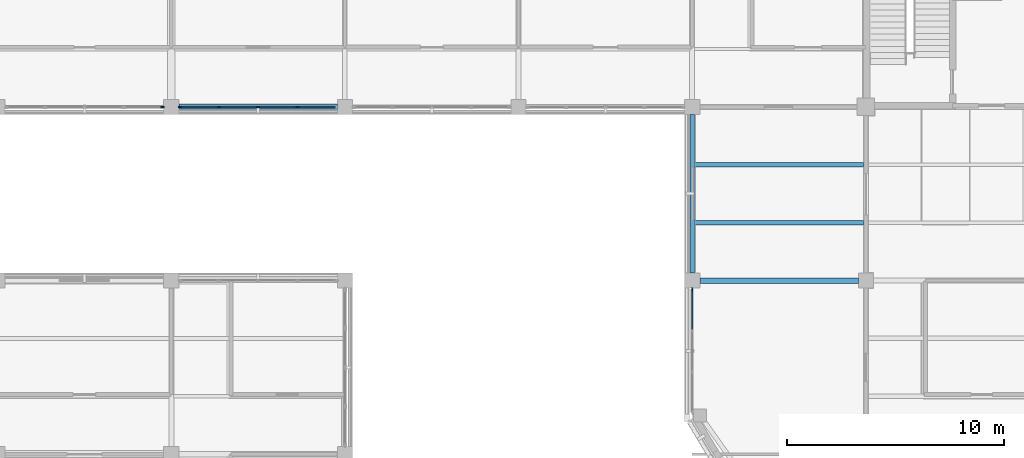
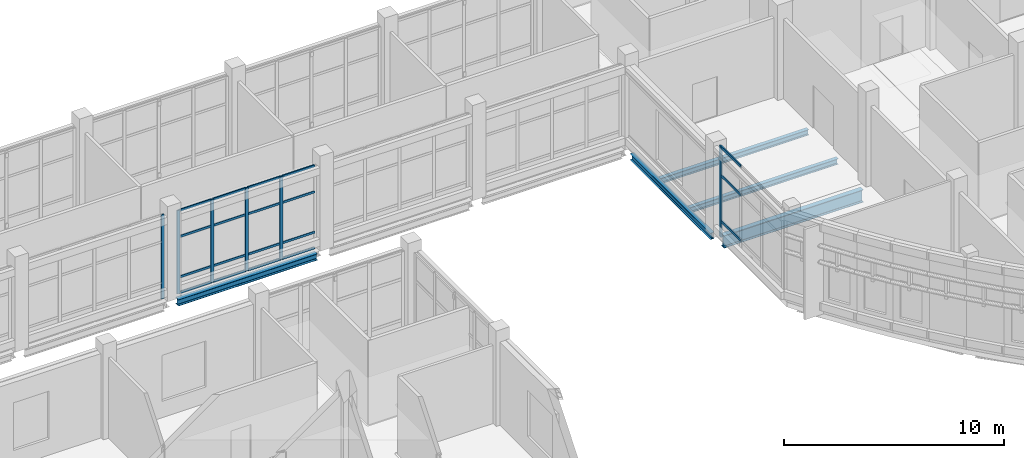
# One storey, part 14 of 105: 25 members, 5 beams, 3 elements without a shape of their own.
"""IFC4 building model written with IfcOpenShell, lengths in metres."""

from ifc_helpers import new_model, si_unit, derived_unit, direction, frame, origin, origin_2d, place, context, subcontext, project, spatial, rectangle, i_section, extrude, material, layer, layer_set, material_profile, profile_set, type_object, element, aggregate, save


model = new_model("IFC4")

# Units and contexts
model_context = context("Model", 3, precision=1e-05, world=origin(), true_north=direction((0.0, 1.0)))
body_context = subcontext(model_context, "Body", "Model", "MODEL_VIEW")
ifc_project = project(units=[si_unit("LENGTHUNIT", "METRE"), si_unit("AREAUNIT", "SQUARE_METRE"), si_unit("VOLUMEUNIT", "CUBIC_METRE"), si_unit("PLANEANGLEUNIT", "RADIAN"), si_unit("MASSUNIT", "GRAM", prefix="KILO"), derived_unit("THERMALTRANSMITTANCEUNIT", [(si_unit("MASSUNIT", "GRAM", prefix="KILO"), 1), (si_unit("TIMEUNIT", "SECOND"), -3), (si_unit("THERMODYNAMICTEMPERATUREUNIT", "KELVIN"), -1)])], contexts=[model_context])

# Site, building, storey
site_placement = place(None, origin())
site = spatial("IfcSite", under=ifc_project, at=site_placement, CompositionType="ELEMENT")
building_placement = place(site_placement, origin())
building = spatial("IfcBuilding", under=site, at=building_placement, Name="Veyamyaing Civic Hall", CompositionType="ELEMENT")
storey_placement = place(building_placement, origin())
storey = spatial("IfcBuildingStorey", under=building, at=storey_placement, Name="L00", CompositionType="ELEMENT", Elevation=0.0)

# Beams
ifc_material_1 = material(Name="Steel ASTM A992", Category="steel")
ifc_material_profile_1 = material_profile(ifc_material_1, i_section(OverallWidth=0.256103515625, OverallDepth=0.693115234375, WebThickness=0.014404296875, FlangeThickness=0.023681640625, FilletRadius=0.013916015625, at=origin_2d()), Name="W690X170")
ifc_profile_set_1 = profile_set([ifc_material_profile_1], Name="Steel ASTM A992")
beam_type_1 = type_object("IfcBeamType", Name="B-04", PredefinedType="BEAM", material=ifc_profile_set_1)
beam_1_placement = place(storey_placement, frame((56.35009765625, 40.0, -0.611572265625), z_axis=(1.0, 0.0, 0.0), x_axis=(0.0, 1.0, 0.0)))
element("IfcBeam", 1, at=beam_1_placement, inside=storey, type_object=beam_type_1, Name="Girder B-04 L00 Grid F 8-9", PredefinedType="BEAM", context=body_context, shape_type="SweptSolid", body=[
    extrude(i_section(OverallWidth=0.256103515625, OverallDepth=0.693115234375, WebThickness=0.014404296875, FlangeThickness=0.023681640625, FilletRadius=0.013916015625, at=origin_2d()), origin(), (0.0, 0.0, 1.0), 7.2998046875),
])
ifc_material_profile_2 = material_profile(ifc_material_1, i_section(OverallWidth=0.2041015625, OverallDepth=0.35009765625, WebThickness=0.0078125, FlangeThickness=0.01513671875, FilletRadius=0.010009765625, at=origin_2d()), Name="W360X72")
ifc_profile_set_2 = profile_set([ifc_material_profile_2], Name="Steel ASTM A992")
beam_type_2 = type_object("IfcBeamType", Name="B-11", PredefinedType="SPANDREL", material=ifc_profile_set_2)
beam_2_placement = place(storey_placement, frame((56.0, 40.35009765625, -0.43994140625), z_axis=(0.0, 1.0, 0.0), x_axis=(-1.0, 0.0, 0.0)))
element("IfcBeam", 2, at=beam_2_placement, inside=storey, type_object=beam_type_2, Name="Girder B-11 L00 Grid 8 F-G", PredefinedType="SPANDREL", context=body_context, shape_type="SweptSolid", body=[
    extrude(i_section(OverallWidth=0.2041015625, OverallDepth=0.35009765625, WebThickness=0.0078125, FlangeThickness=0.01513671875, FilletRadius=0.010009765625, at=origin_2d()), origin(), (0.0, 0.0, 1.0), 7.2998046875),
])
ifc_material_profile_3 = material_profile(ifc_material_1, i_section(OverallWidth=0.25390625, OverallDepth=0.35302734375, WebThickness=0.009521484375, FlangeThickness=0.016357421875, FilletRadius=0.011962890625, at=origin_2d()), Name="W360X91")
ifc_profile_set_3 = profile_set([ifc_material_profile_3], Name="Steel ASTM A992")
beam_type_3 = type_object("IfcBeamType", Name="B-20", PredefinedType="SPANDREL", material=ifc_profile_set_3)
beam_3_placement = place(storey_placement, frame((32.35009765625, 48.0, -0.44140625), z_axis=(1.0, 0.0, 0.0), x_axis=(0.0, 1.0, 0.0)))
element("IfcBeam", 3, at=beam_3_placement, inside=storey, type_object=beam_type_3, Name="Girder B-20 L00 Grid G 5-6", PredefinedType="SPANDREL", context=body_context, shape_type="SweptSolid", body=[
    extrude(i_section(OverallWidth=0.25390625, OverallDepth=0.35302734375, WebThickness=0.009521484375, FlangeThickness=0.016357421875, FilletRadius=0.011962890625, at=origin_2d()), origin(), (0.0, 0.0, 1.0), 7.2998046875),
])

# Curtain wall, member
ifc_material_2 = material(Name="Anodised aluminium 6063-T6", Category="aluminium")
ifc_layer_1 = layer(ifc_material_2, 0.159912109375, Name="Anodised aluminium 6063-T6")
ifc_layer_set_1 = layer_set([ifc_layer_1], Name="Anodised aluminium 6063-T6")
curtain_wall_type_1 = type_object("IfcCurtainWallType", Name="CW-01", PredefinedType="NOTDEFINED", material=ifc_layer_set_1)
curtain_wall_1_placement = place(storey_placement, origin())
curtain_wall_1 = element("IfcCurtainWall", 4, at=curtain_wall_1_placement, inside=storey, type_object=curtain_wall_type_1, Name="Unitized curtain wall CW-01 L00 S 4.7", PredefinedType="NOTDEFINED")
ifc_material_profile_4 = material_profile(ifc_material_2, rectangle(XDim=0.06494140625, YDim=0.159912109375, at=origin_2d()), Name="ALU-MUL-65X160")
ifc_profile_set_4 = profile_set([ifc_material_profile_4], Name="Anodised aluminium 6063-T6")
member_type_1 = type_object("IfcMemberType", Name="CWM-01", PredefinedType="MULLION", material=ifc_profile_set_4)
member_1_placement = place(storey_placement, frame((31.58740234375, 48.0, 0.0), z_axis=(0.0, 0.0, 1.0), x_axis=(0.0, 1.0, 0.0)))
member_1 = element("IfcMember", 5, at=member_1_placement, type_object=member_type_1, Name="CW-01 mullion 5", PredefinedType="MULLION", context=body_context, shape_type="SweptSolid", body=[
    extrude(rectangle(XDim=0.06494140625, YDim=0.159912109375, at=origin_2d()), origin(), (0.0, 0.0, 1.0), 4.674072265625),
])
aggregate(curtain_wall_1, [member_1])

# Curtain wall, members
curtain_wall_2_placement = place(storey_placement, origin())
curtain_wall_2 = element("IfcCurtainWall", 6, at=curtain_wall_2_placement, inside=storey, type_object=curtain_wall_type_1, Name="Unitized curtain wall CW-01 L00 S 5.7", PredefinedType="NOTDEFINED")
member_2_placement = place(storey_placement, frame((32.41259765625, 48.0, 0.0), z_axis=(0.0, 0.0, 1.0), x_axis=(0.0, 1.0, 0.0)))
member_2 = element("IfcMember", 7, at=member_2_placement, type_object=member_type_1, Name="CW-01 mullion 1", PredefinedType="MULLION", context=body_context, shape_type="SweptSolid", body=[
    extrude(rectangle(XDim=0.06494140625, YDim=0.159912109375, at=origin_2d()), origin(), (0.0, 0.0, 1.0), 4.614013671875),
])
member_3_placement = place(storey_placement, frame((34.18994140625, 48.0, 0.0), z_axis=(0.0, 0.0, 1.0), x_axis=(0.0, 1.0, 0.0)))
member_3 = element("IfcMember", 8, at=member_3_placement, type_object=member_type_1, Name="CW-01 mullion 2", PredefinedType="MULLION", context=body_context, shape_type="SweptSolid", body=[
    extrude(rectangle(XDim=0.06494140625, YDim=0.159912109375, at=origin_2d()), origin(), (0.0, 0.0, 1.0), 4.614013671875),
])
member_4_placement = place(storey_placement, frame((36.0, 48.0, 0.0), z_axis=(0.0, 0.0, 1.0), x_axis=(0.0, 1.0, 0.0)))
member_4 = element("IfcMember", 9, at=member_4_placement, type_object=member_type_1, Name="CW-01 mullion 3", PredefinedType="MULLION", context=body_context, shape_type="SweptSolid", body=[
    extrude(rectangle(XDim=0.06494140625, YDim=0.159912109375, at=origin_2d()), origin(), (0.0, 0.0, 1.0), 4.614013671875),
])
member_5_placement = place(storey_placement, frame((37.81005859375, 48.0, 0.0), z_axis=(0.0, 0.0, 1.0), x_axis=(0.0, 1.0, 0.0)))
member_5 = element("IfcMember", 10, at=member_5_placement, type_object=member_type_1, Name="CW-01 mullion 4", PredefinedType="MULLION", context=body_context, shape_type="SweptSolid", body=[
    extrude(rectangle(XDim=0.06494140625, YDim=0.159912109375, at=origin_2d()), origin(), (0.0, 0.0, 1.0), 4.614013671875),
])

# Curtain wall, member
ifc_layer_2 = layer(ifc_material_2, 0.179931640625, Name="Anodised aluminium 6063-T6")
ifc_layer_set_2 = layer_set([ifc_layer_2], Name="Anodised aluminium 6063-T6")
curtain_wall_type_2 = type_object("IfcCurtainWallType", Name="CW-06", PredefinedType="NOTDEFINED", material=ifc_layer_set_2)
curtain_wall_3_placement = place(storey_placement, origin())
curtain_wall_3 = element("IfcCurtainWall", 11, at=curtain_wall_3_placement, inside=storey, type_object=curtain_wall_type_2, Name="Unitized curtain wall CW-06 L00 W 8.5", PredefinedType="NOTDEFINED")
ifc_material_profile_5 = material_profile(ifc_material_2, rectangle(XDim=0.06494140625, YDim=0.179931640625, at=origin_2d()), Name="ALU-MUL-65X180")
ifc_profile_set_5 = profile_set([ifc_material_profile_5], Name="Anodised aluminium 6063-T6")
member_type_2 = type_object("IfcMemberType", Name="CWM-02", PredefinedType="MULLION", material=ifc_profile_set_5)
member_6_placement = place(storey_placement, frame((56.0, 39.58740234375, 0.0), z_axis=(0.0, 0.0, 1.0), x_axis=(-1.0, 0.0, 0.0)))
member_6 = element("IfcMember", 12, at=member_6_placement, type_object=member_type_2, Name="CW-06 mullion 4", PredefinedType="MULLION", context=body_context, shape_type="SweptSolid", body=[
    extrude(rectangle(XDim=0.06494140625, YDim=0.179931640625, at=origin_2d()), origin(), (0.0, 0.0, 1.0), 5.034912109375),
])

# Member
ifc_material_profile_6 = material_profile(ifc_material_2, rectangle(XDim=0.06494140625, YDim=0.1201171875, at=origin_2d()), Name="ALU-TRN-65X120")
ifc_profile_set_6 = profile_set([ifc_material_profile_6], Name="Anodised aluminium 6063-T6")
member_type_3 = type_object("IfcMemberType", Name="CWT-01", PredefinedType="USERDEFINED", material=ifc_profile_set_6)
member_7_placement = place(storey_placement, frame((32.445068359375, 48.0, 0.032470703125), z_axis=(1.0, 0.0, 0.0), x_axis=(0.0, 1.0, 0.0)))
member_7 = element("IfcMember", 13, at=member_7_placement, type_object=member_type_3, Name="CW-01 transom 1.1", ObjectType="TRANSOM", PredefinedType="USERDEFINED", context=body_context, shape_type="SweptSolid", body=[
    extrude(rectangle(XDim=0.06494140625, YDim=0.1201171875, at=origin_2d()), origin(), (0.0, 0.0, 1.0), 1.71240234375),
])

member_8_placement = place(storey_placement, frame((32.445068359375, 48.0, 0.89990234375), z_axis=(1.0, 0.0, 0.0), x_axis=(0.0, 1.0, 0.0)))
member_8 = element("IfcMember", 14, at=member_8_placement, type_object=member_type_3, Name="CW-01 transom 1.2", ObjectType="TRANSOM", PredefinedType="USERDEFINED", context=body_context, shape_type="SweptSolid", body=[
    extrude(rectangle(XDim=0.06494140625, YDim=0.1201171875, at=origin_2d()), origin(), (0.0, 0.0, 1.0), 1.71240234375),
])

member_9_placement = place(storey_placement, frame((32.445068359375, 48.0, 3.137451171875), z_axis=(1.0, 0.0, 0.0), x_axis=(0.0, 1.0, 0.0)))
member_9 = element("IfcMember", 15, at=member_9_placement, type_object=member_type_3, Name="CW-01 transom 1.3", ObjectType="TRANSOM", PredefinedType="USERDEFINED", context=body_context, shape_type="SweptSolid", body=[
    extrude(rectangle(XDim=0.06494140625, YDim=0.1201171875, at=origin_2d()), origin(), (0.0, 0.0, 1.0), 1.71240234375),
])

member_10_placement = place(storey_placement, frame((32.445068359375, 48.0, 4.58154296875), z_axis=(1.0, 0.0, 0.0), x_axis=(0.0, 1.0, 0.0)))
member_10 = element("IfcMember", 16, at=member_10_placement, type_object=member_type_3, Name="CW-01 transom 1.4", ObjectType="TRANSOM", PredefinedType="USERDEFINED", context=body_context, shape_type="SweptSolid", body=[
    extrude(rectangle(XDim=0.06494140625, YDim=0.1201171875, at=origin_2d()), origin(), (0.0, 0.0, 1.0), 1.71240234375),
])

member_11_placement = place(storey_placement, frame((34.222412109375, 48.0, 0.032470703125), z_axis=(1.0, 0.0, 0.0), x_axis=(0.0, 1.0, 0.0)))
member_11 = element("IfcMember", 17, at=member_11_placement, type_object=member_type_3, Name="CW-01 transom 2.1", ObjectType="TRANSOM", PredefinedType="USERDEFINED", context=body_context, shape_type="SweptSolid", body=[
    extrude(rectangle(XDim=0.06494140625, YDim=0.1201171875, at=origin_2d()), origin(), (0.0, 0.0, 1.0), 1.7451171875),
])

member_12_placement = place(storey_placement, frame((34.222412109375, 48.0, 0.89990234375), z_axis=(1.0, 0.0, 0.0), x_axis=(0.0, 1.0, 0.0)))
member_12 = element("IfcMember", 18, at=member_12_placement, type_object=member_type_3, Name="CW-01 transom 2.2", ObjectType="TRANSOM", PredefinedType="USERDEFINED", context=body_context, shape_type="SweptSolid", body=[
    extrude(rectangle(XDim=0.06494140625, YDim=0.1201171875, at=origin_2d()), origin(), (0.0, 0.0, 1.0), 1.7451171875),
])

member_13_placement = place(storey_placement, frame((34.222412109375, 48.0, 3.137451171875), z_axis=(1.0, 0.0, 0.0), x_axis=(0.0, 1.0, 0.0)))
member_13 = element("IfcMember", 19, at=member_13_placement, type_object=member_type_3, Name="CW-01 transom 2.3", ObjectType="TRANSOM", PredefinedType="USERDEFINED", context=body_context, shape_type="SweptSolid", body=[
    extrude(rectangle(XDim=0.06494140625, YDim=0.1201171875, at=origin_2d()), origin(), (0.0, 0.0, 1.0), 1.7451171875),
])

member_14_placement = place(storey_placement, frame((34.222412109375, 48.0, 4.58154296875), z_axis=(1.0, 0.0, 0.0), x_axis=(0.0, 1.0, 0.0)))
member_14 = element("IfcMember", 20, at=member_14_placement, type_object=member_type_3, Name="CW-01 transom 2.4", ObjectType="TRANSOM", PredefinedType="USERDEFINED", context=body_context, shape_type="SweptSolid", body=[
    extrude(rectangle(XDim=0.06494140625, YDim=0.1201171875, at=origin_2d()), origin(), (0.0, 0.0, 1.0), 1.7451171875),
])

member_15_placement = place(storey_placement, frame((36.032470703125, 48.0, 0.032470703125), z_axis=(1.0, 0.0, 0.0), x_axis=(0.0, 1.0, 0.0)))
member_15 = element("IfcMember", 21, at=member_15_placement, type_object=member_type_3, Name="CW-01 transom 3.1", ObjectType="TRANSOM", PredefinedType="USERDEFINED", context=body_context, shape_type="SweptSolid", body=[
    extrude(rectangle(XDim=0.06494140625, YDim=0.1201171875, at=origin_2d()), origin(), (0.0, 0.0, 1.0), 1.7451171875),
])

member_16_placement = place(storey_placement, frame((36.032470703125, 48.0, 0.89990234375), z_axis=(1.0, 0.0, 0.0), x_axis=(0.0, 1.0, 0.0)))
member_16 = element("IfcMember", 22, at=member_16_placement, type_object=member_type_3, Name="CW-01 transom 3.2", ObjectType="TRANSOM", PredefinedType="USERDEFINED", context=body_context, shape_type="SweptSolid", body=[
    extrude(rectangle(XDim=0.06494140625, YDim=0.1201171875, at=origin_2d()), origin(), (0.0, 0.0, 1.0), 1.7451171875),
])

member_17_placement = place(storey_placement, frame((36.032470703125, 48.0, 3.137451171875), z_axis=(1.0, 0.0, 0.0), x_axis=(0.0, 1.0, 0.0)))
member_17 = element("IfcMember", 23, at=member_17_placement, type_object=member_type_3, Name="CW-01 transom 3.3", ObjectType="TRANSOM", PredefinedType="USERDEFINED", context=body_context, shape_type="SweptSolid", body=[
    extrude(rectangle(XDim=0.06494140625, YDim=0.1201171875, at=origin_2d()), origin(), (0.0, 0.0, 1.0), 1.7451171875),
])

member_18_placement = place(storey_placement, frame((36.032470703125, 48.0, 4.58154296875), z_axis=(1.0, 0.0, 0.0), x_axis=(0.0, 1.0, 0.0)))
member_18 = element("IfcMember", 24, at=member_18_placement, type_object=member_type_3, Name="CW-01 transom 3.4", ObjectType="TRANSOM", PredefinedType="USERDEFINED", context=body_context, shape_type="SweptSolid", body=[
    extrude(rectangle(XDim=0.06494140625, YDim=0.1201171875, at=origin_2d()), origin(), (0.0, 0.0, 1.0), 1.7451171875),
])

member_19_placement = place(storey_placement, frame((37.842529296875, 48.0, 0.032470703125), z_axis=(1.0, 0.0, 0.0), x_axis=(0.0, 1.0, 0.0)))
member_19 = element("IfcMember", 25, at=member_19_placement, type_object=member_type_3, Name="CW-01 transom 4.1", ObjectType="TRANSOM", PredefinedType="USERDEFINED", context=body_context, shape_type="SweptSolid", body=[
    extrude(rectangle(XDim=0.06494140625, YDim=0.1201171875, at=origin_2d()), origin(), (0.0, 0.0, 1.0), 1.71240234375),
])

member_20_placement = place(storey_placement, frame((37.842529296875, 48.0, 0.89990234375), z_axis=(1.0, 0.0, 0.0), x_axis=(0.0, 1.0, 0.0)))
member_20 = element("IfcMember", 26, at=member_20_placement, type_object=member_type_3, Name="CW-01 transom 4.2", ObjectType="TRANSOM", PredefinedType="USERDEFINED", context=body_context, shape_type="SweptSolid", body=[
    extrude(rectangle(XDim=0.06494140625, YDim=0.1201171875, at=origin_2d()), origin(), (0.0, 0.0, 1.0), 1.71240234375),
])

member_21_placement = place(storey_placement, frame((37.842529296875, 48.0, 3.137451171875), z_axis=(1.0, 0.0, 0.0), x_axis=(0.0, 1.0, 0.0)))
member_21 = element("IfcMember", 27, at=member_21_placement, type_object=member_type_3, Name="CW-01 transom 4.3", ObjectType="TRANSOM", PredefinedType="USERDEFINED", context=body_context, shape_type="SweptSolid", body=[
    extrude(rectangle(XDim=0.06494140625, YDim=0.1201171875, at=origin_2d()), origin(), (0.0, 0.0, 1.0), 1.71240234375),
])

member_22_placement = place(storey_placement, frame((37.842529296875, 48.0, 4.58154296875), z_axis=(1.0, 0.0, 0.0), x_axis=(0.0, 1.0, 0.0)))
member_22 = element("IfcMember", 28, at=member_22_placement, type_object=member_type_3, Name="CW-01 transom 4.4", ObjectType="TRANSOM", PredefinedType="USERDEFINED", context=body_context, shape_type="SweptSolid", body=[
    extrude(rectangle(XDim=0.06494140625, YDim=0.1201171875, at=origin_2d()), origin(), (0.0, 0.0, 1.0), 1.71240234375),
])

aggregate(curtain_wall_2, [member_2, member_3, member_4, member_5, member_7, member_8, member_9, member_10, member_11, member_12, member_13, member_14, member_15, member_16, member_17, member_18, member_19, member_20, member_21, member_22])

ifc_material_profile_7 = material_profile(ifc_material_2, rectangle(XDim=0.06494140625, YDim=0.139892578125, at=origin_2d()), Name="ALU-TRN-65X140")
ifc_profile_set_7 = profile_set([ifc_material_profile_7], Name="Anodised aluminium 6063-T6")
member_type_4 = type_object("IfcMemberType", Name="CWT-02", PredefinedType="USERDEFINED", material=ifc_profile_set_7)
member_23_placement = place(storey_placement, frame((56.0, 37.74560546875, 0.89990234375), z_axis=(0.0, 1.0, 0.0), x_axis=(-1.0, 0.0, 0.0)))
member_23 = element("IfcMember", 29, at=member_23_placement, type_object=member_type_4, Name="CW-06 transom 3.2", ObjectType="TRANSOM", PredefinedType="USERDEFINED", context=body_context, shape_type="SweptSolid", body=[
    extrude(rectangle(XDim=0.06494140625, YDim=0.139892578125, at=origin_2d()), origin(), (0.0, 0.0, 1.0), 1.809326171875),
])

member_24_placement = place(storey_placement, frame((56.0, 37.74560546875, 3.423828125), z_axis=(0.0, 1.0, 0.0), x_axis=(-1.0, 0.0, 0.0)))
member_24 = element("IfcMember", 30, at=member_24_placement, type_object=member_type_4, Name="CW-06 transom 3.3", ObjectType="TRANSOM", PredefinedType="USERDEFINED", context=body_context, shape_type="SweptSolid", body=[
    extrude(rectangle(XDim=0.06494140625, YDim=0.139892578125, at=origin_2d()), origin(), (0.0, 0.0, 1.0), 1.809326171875),
])

member_25_placement = place(storey_placement, frame((56.0, 37.74560546875, 5.00244140625), z_axis=(0.0, 1.0, 0.0), x_axis=(-1.0, 0.0, 0.0)))
member_25 = element("IfcMember", 31, at=member_25_placement, type_object=member_type_4, Name="CW-06 transom 3.4", ObjectType="TRANSOM", PredefinedType="USERDEFINED", context=body_context, shape_type="SweptSolid", body=[
    extrude(rectangle(XDim=0.06494140625, YDim=0.139892578125, at=origin_2d()), origin(), (0.0, 0.0, 1.0), 1.809326171875),
])

aggregate(curtain_wall_3, [member_6, member_23, member_24, member_25])

# Beams
ifc_material_profile_8 = material_profile(ifc_material_1, i_section(OverallWidth=0.2041015625, OverallDepth=0.305908203125, WebThickness=0.008544921875, FlangeThickness=0.0146484375, FilletRadius=0.010009765625, at=origin_2d()), Name="W310X67")
ifc_profile_set_8 = profile_set([ifc_material_profile_8], Name="Steel ASTM A992")
beam_type_4 = type_object("IfcBeamType", Name="J-06", PredefinedType="JOIST", material=ifc_profile_set_8)
for number, where, z_axis, x_axis, name in (
    (32, (56.10009765625, 42.666748046875, -0.41796875), (1.0, 0.0, 0.0), (0.0, 1.0, 0.0), "Composite floor joist J-06 L00 8.6.1"),
    (33, (56.10009765625, 45.333251953125, -0.41796875), (1.0, 0.0, 0.0), (0.0, 1.0, 0.0), "Composite floor joist J-06 L00 8.6.2"),
):
    element("IfcBeam", number, at=place(storey_placement, frame(where, z_axis=z_axis, x_axis=x_axis)), inside=storey, type_object=beam_type_4, Name=name, PredefinedType="JOIST", context=body_context, shape_type="SweptSolid", body=[
        extrude(i_section(OverallWidth=0.2041015625, OverallDepth=0.305908203125, WebThickness=0.008544921875, FlangeThickness=0.0146484375, FilletRadius=0.010009765625, at=origin_2d()), origin(), (0.0, 0.0, 1.0), 7.787841796875),
    ])

save(model, "model.ifc")
